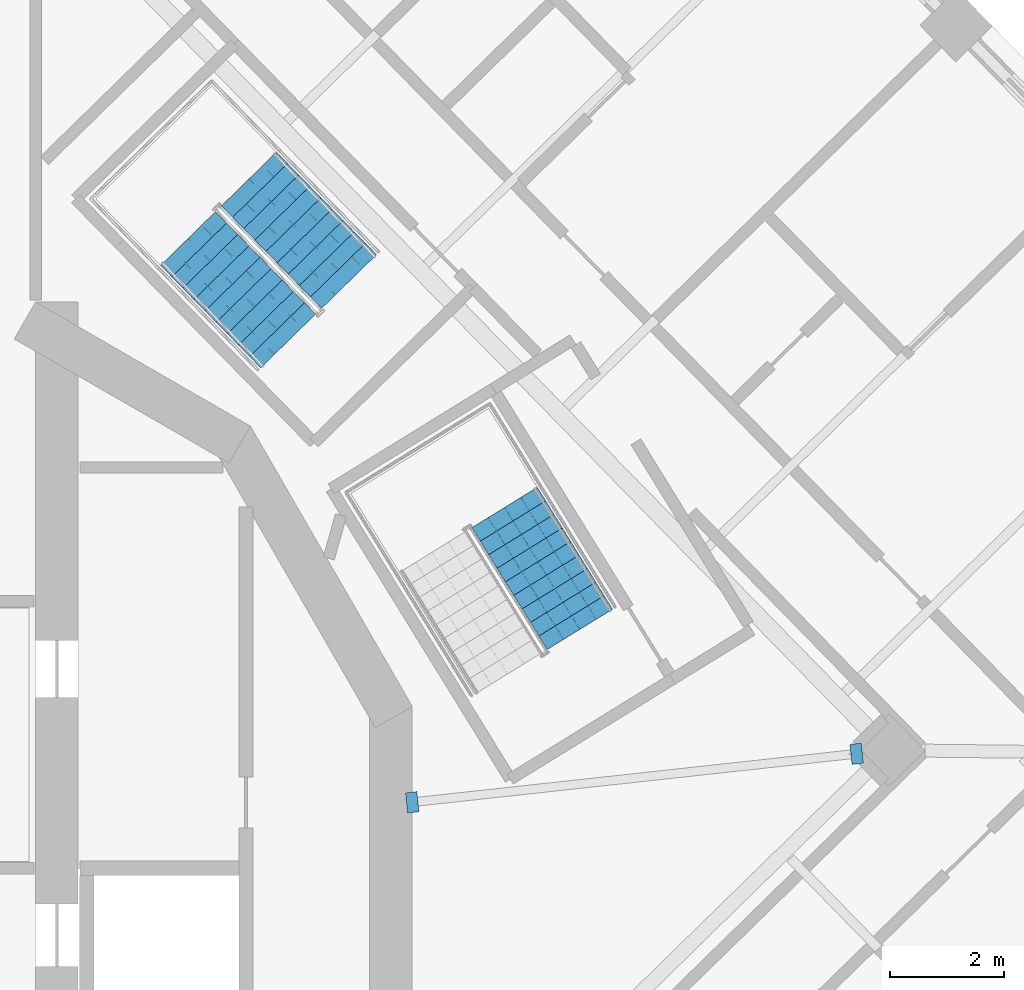
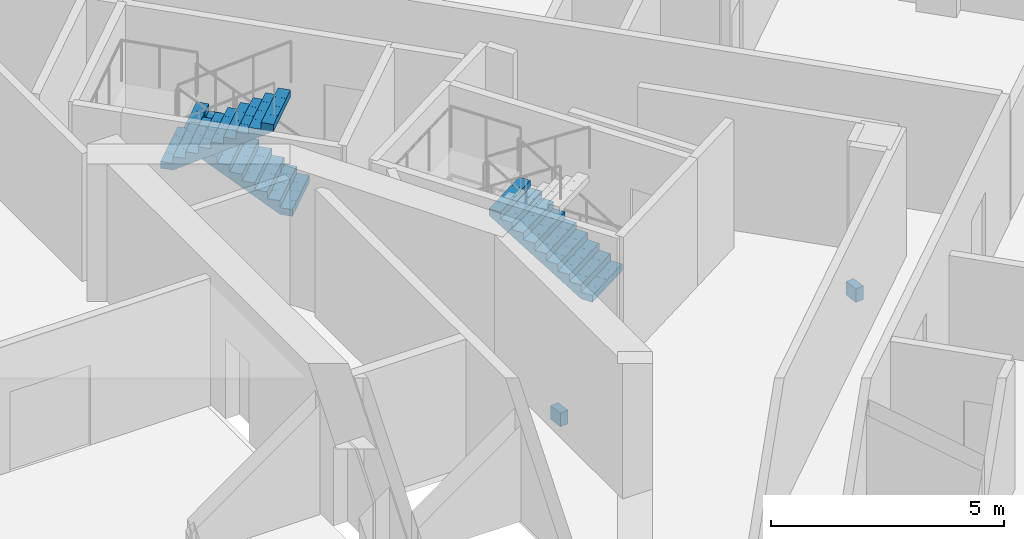
# One storey, part 12 of 19: 3 stair flights, 2 discrete accessories, 2 elements without a shape of their own.
"""IFC4 building model written with IfcOpenShell, lengths in metres."""

import ifcopenshell
import ifcopenshell.guid

model = None  # the IFC model being written
_history = None  # IfcOwnerHistory: only IFC2X3 demands one
_inside = {}  # id of a spatial element -> (the spatial element, [elements in it])
_under = {}  # id of a project, library or spatial element -> (it, [spatial elements below it])
_declared = {}  # id of a project -> (the project, [libraries it declares])
_typed = {}  # id of a type object -> (the type object, [elements of that type])
_made_of = {}  # id of a material, layer set ... -> (it, [elements and type objects made of it])


def new_model(schema):
    """Start an empty IFC model of exactly this schema.

    Asked for "IFC4X3", IfcOpenShell would pick the latest addendum, in which some entities
    have other attributes; the version numbers below select the first issue.
    IFC2X3 requires an IfcOwnerHistory on every rooted entity: one is made here for all.
    """
    global model, _history
    if schema == "IFC4X3":
        model = ifcopenshell.file(schema_version=(4, 3, 0, 0))
    else:
        model = ifcopenshell.file(schema=schema)
    _inside.clear()
    _under.clear()
    _declared.clear()
    _typed.clear()
    _made_of.clear()
    _history = None
    if model.schema == "IFC2X3":
        org = make("IfcOrganization", Name="unknown")
        user = make(
            "IfcPersonAndOrganization",
            ThePerson=make("IfcPerson", FamilyName="unknown"),
            TheOrganization=org,
        )
        app = make(
            "IfcApplication",
            ApplicationDeveloper=org,
            Version="unknown",
            ApplicationFullName="unknown",
            ApplicationIdentifier="unknown",
        )
        _history = make(
            "IfcOwnerHistory",
            OwningUser=user,
            OwningApplication=app,
            ChangeAction="ADDED",
            CreationDate=0,
        )
    return model


def make(cls, **values):
    """One entity of the class cls with the attributes given. An attribute that is None is left unset."""
    return model.create_entity(
        cls, **{name: value for name, value in values.items() if value is not None}
    )


def rooted(cls, **values):
    """An entity with a GlobalId (a new one), such as an element, a storey or a relation."""
    return make(cls, GlobalId=ifcopenshell.guid.new(), OwnerHistory=_history, **values)


def si_unit(unit_type, name, prefix=None):
    """IfcSIUnit, for example si_unit("LENGTHUNIT", "METRE", prefix="MILLI")."""
    return make("IfcSIUnit", UnitType=unit_type, Prefix=prefix, Name=name)


def assignment(units):
    """IfcUnitAssignment: the units of a project."""
    return None if units is None else make("IfcUnitAssignment", Units=units)


def point(xyz):
    """IfcCartesianPoint."""
    return None if xyz is None else make("IfcCartesianPoint", Coordinates=xyz)


def direction(xyz):
    """IfcDirection."""
    return None if xyz is None else make("IfcDirection", DirectionRatios=xyz)


def frame(location, z_axis=None, x_axis=None):
    """IfcAxis2Placement3D, a coordinate frame: its origin and axes. An axis left out is left unset."""
    return make(
        "IfcAxis2Placement3D",
        Location=point(location),
        Axis=direction(z_axis),
        RefDirection=direction(x_axis),
    )


def origin():
    """The frame at (0, 0, 0) with its axes left unset."""
    return frame((0.0, 0.0, 0.0))


def place(relative_to, where):
    """IfcLocalPlacement: puts the frame where relative to a parent placement (None: the world)."""
    return make(
        "IfcLocalPlacement", PlacementRelTo=relative_to, RelativePlacement=where
    )


def context(
    kind, dimensions, precision=None, world=None, true_north=None, identifier=None
):
    """IfcGeometricRepresentationContext, for example the 3D "Model" context."""
    return make(
        "IfcGeometricRepresentationContext",
        ContextIdentifier=identifier,
        ContextType=kind,
        CoordinateSpaceDimension=dimensions,
        Precision=precision,
        WorldCoordinateSystem=world,
        TrueNorth=true_north,
    )


def subcontext(parent, identifier, kind, view, scale=None):
    """IfcGeometricRepresentationSubContext, for example "Body" below "Model"."""
    return make(
        "IfcGeometricRepresentationSubContext",
        ContextIdentifier=identifier,
        ContextType=kind,
        ParentContext=parent,
        TargetScale=scale,
        TargetView=view,
    )


def project(units=None, contexts=None):
    """IfcProject with its units and contexts."""
    return rooted(
        "IfcProject",
        Name="project",
        RepresentationContexts=contexts,
        UnitsInContext=assignment(units),
    )


def spatial(cls, under=None, at=None, **own):
    """A site, building, storey or space (cls), placed at a placement, below another one or the project."""
    s = rooted(cls, ObjectPlacement=at, **own)
    if under is not None:
        _under.setdefault(under.id(), (under, []))[1].append(s)
    return s


def polyline(points):
    """IfcPolyline through the points."""
    return make("IfcPolyline", Points=[point(p) for p in points])


def outline(outer, holes=None, kind="AREA"):
    """IfcArbitraryClosedProfileDef: a profile drawn as a closed curve; with holes, ...WithVoids."""
    if holes is None:
        return make("IfcArbitraryClosedProfileDef", ProfileType=kind, OuterCurve=outer)
    return make(
        "IfcArbitraryProfileDefWithVoids",
        ProfileType=kind,
        OuterCurve=outer,
        InnerCurves=holes,
    )


def extrude(swept, where, along, depth):
    """IfcExtrudedAreaSolid: the profile swept, set in the frame where, extruded along a direction by depth."""
    return make(
        "IfcExtrudedAreaSolid",
        SweptArea=swept,
        Position=where,
        ExtrudedDirection=direction(along),
        Depth=depth,
    )


def shape(context_of_items, identifier, shape_type, items):
    """IfcShapeRepresentation: the items that make up one representation, for example the "Body"."""
    return make(
        "IfcShapeRepresentation",
        ContextOfItems=context_of_items,
        RepresentationIdentifier=identifier,
        RepresentationType=shape_type,
        Items=items,
    )


def material(Name=None, Category=None):
    """IfcMaterial."""
    return make("IfcMaterial", Name=Name, Category=Category)


def layer(
    of_material, thickness, ventilated=None, Name=None, Category=None, Priority=None
):
    """IfcMaterialLayer: one layer of a wall or slab, of a material (None: an air gap)."""
    return make(
        "IfcMaterialLayer",
        Material=of_material,
        LayerThickness=thickness,
        IsVentilated=ventilated,
        Name=Name,
        Category=Category,
        Priority=Priority,
    )


def layer_set(layers, Name=None):
    """IfcMaterialLayerSet."""
    return make("IfcMaterialLayerSet", MaterialLayers=layers, LayerSetName=Name)


def made_of(thing, what):
    """Note that an element or type object is made of a material, layer set ...; save() writes the relation."""
    if what is not None:
        _made_of.setdefault(what.id(), (what, []))[1].append(thing)
    return thing


def type_object(cls, material=None, **own):
    """A type object (cls), such as IfcWallType, which elements share."""
    return made_of(rooted(cls, **own), material)


def element(
    cls,
    number,
    at=None,
    inside=None,
    cuts=None,
    type_object=None,
    material=None,
    context=None,
    identifier="Body",
    shape_type=None,
    held_by="IfcProductDefinitionShape",
    body=None,
    shapes=None,
    **own,
):
    """One element of the class cls, such as IfcWall. Its Tag is "e" and its number.

    at: its placement. inside: the storey or other place that contains it. cuts: it is an
    opening in that element (IfcRelVoidsElement). A single representation is given by context,
    identifier, shape_type and body (its items); several are given by shapes. held_by: the class
    of the entity that holds the representations. save() writes the other relations.
    """
    e = rooted(cls, Tag="e%d" % number, ObjectPlacement=at, **own)
    if body is not None:
        shapes = [shape(context, identifier, shape_type, body)]
    if shapes is not None:
        e.Representation = make(held_by, Representations=shapes)
    if inside is not None:
        _inside.setdefault(inside.id(), (inside, []))[1].append(e)
    if cuts is not None:
        rooted(
            "IfcRelVoidsElement", RelatingBuildingElement=cuts, RelatedOpeningElement=e
        )
    if type_object is not None:
        _typed.setdefault(type_object.id(), (type_object, []))[1].append(e)
    return made_of(e, material)


def aggregate(whole, parts):
    """IfcRelAggregates: a whole, such as a stair, and the parts it consists of."""
    return rooted("IfcRelAggregates", RelatingObject=whole, RelatedObjects=parts)


def save(model, path):
    """Write the relations noted so far, then the file.

    IfcRelAggregates (storeys below a building ...), IfcRelContainedInSpatialStructure (elements
    in a storey), IfcRelDefinesByType, IfcRelAssociatesMaterial and IfcRelDeclares: one each for
    every whole, place, type object, material and project.
    """
    for whole, parts in _under.values():
        aggregate(whole, parts)
    for where, things in _inside.values():
        rooted(
            "IfcRelContainedInSpatialStructure",
            RelatedElements=things,
            RelatingStructure=where,
        )
    for kind, things in _typed.values():
        rooted("IfcRelDefinesByType", RelatedObjects=things, RelatingType=kind)
    for what, things in _made_of.values():
        rooted("IfcRelAssociatesMaterial", RelatedObjects=things, RelatingMaterial=what)
    for by, libraries in _declared.values():
        rooted("IfcRelDeclares", RelatingContext=by, RelatedDefinitions=libraries)
    model.write(path)


model = new_model("IFC4")

# Units and contexts
model_context = context("Model", 3, precision=1e-05, world=origin(), true_north=direction((0.0, 1.0)))
body_context = subcontext(model_context, "Body", "Model", "MODEL_VIEW")
ifc_project = project(units=[si_unit("LENGTHUNIT", "METRE"), si_unit("AREAUNIT", "SQUARE_METRE"), si_unit("VOLUMEUNIT", "CUBIC_METRE"), si_unit("PLANEANGLEUNIT", "RADIAN"), si_unit("MASSUNIT", "GRAM", prefix="KILO")], contexts=[model_context])

# Site, building, storey
site_placement = place(None, origin())
site = spatial("IfcSite", under=ifc_project, at=site_placement, CompositionType="ELEMENT")
building_placement = place(site_placement, origin())
building = spatial("IfcBuilding", under=site, at=building_placement, Name="Cantera Rosa Tower", CompositionType="ELEMENT")
storey_placement = place(building_placement, frame((0.0, 0.0, 216.199951171875)))
storey = spatial("IfcBuildingStorey", under=building, at=storey_placement, Name="L46", CompositionType="ELEMENT", Elevation=216.199951171875)

# Stair, stair flight
ifc_material_1 = material(Name="Concrete C35/45", Category="concrete")
stair_type = type_object("IfcStairType", Name="EXIT STAIR 1350 DOGLEG", PredefinedType="HALF_TURN_STAIR", material=ifc_material_1)
stair_1_placement = place(storey_placement, origin())
stair_1 = element("IfcStair", 1, at=stair_1_placement, inside=storey, type_object=stair_type, Name="L46 ST-41", PredefinedType="HALF_TURN_STAIR")
ifc_material_2 = material(Name="Concrete C35/45", Category="concrete")
stair_flight_type = type_object("IfcStairFlightType", Name="STAIR FLIGHT 1350 R20x180", PredefinedType="STRAIGHT", material=ifc_material_2)
stair_flight_1_placement = place(storey_placement, frame((13.5732421875, 4.2021484375, 0.0), z_axis=(0.0, 0.0, 1.0), x_axis=(-0.524976585286, 0.851116669383, 0.0)))
stair_flight_1 = element("IfcStairFlight", 2, at=stair_flight_1_placement, type_object=stair_flight_type, Name="ST-41 flight 1", NumberOfRisers=10, NumberOfTreads=9, PredefinedType="STRAIGHT", RiserHeight=0.18, TreadLength=0.28, context=body_context, shape_type="SweptSolid", body=[
    extrude(outline(polyline([(0.0, 0.0), (0.0, 0.179931640625), (0.280029296875, 0.179931640625), (0.280029296875, 0.360107421875), (0.56005859375, 0.360107421875), (0.56005859375, 0.5400390625), (0.840087890625, 0.5400390625), (0.840087890625, 0.719970703125), (1.1201171875, 0.719970703125), (1.1201171875, 0.89990234375), (1.39990234375, 0.89990234375), (1.39990234375, 1.080078125), (1.679931640625, 1.080078125), (1.679931640625, 1.260009765625), (1.9599609375, 1.260009765625), (1.9599609375, 1.43994140625), (2.239990234375, 1.43994140625), (2.239990234375, 1.6201171875), (2.52001953125, 1.6201171875), (2.52001953125, 1.800048828125), (2.52001953125, 1.44189453125), (0.277099609375, 0.0), (0.0, 0.0)])), frame((0.0, 0.675048828125, 0.0), z_axis=(0.0, -1.0, 0.0), x_axis=(1.0, 0.0, 0.0)), (0.0, 0.0, 1.0), 0.3359375),
    extrude(outline(polyline([(0.0, 0.0), (0.0, 0.179931640625), (0.280029296875, 0.179931640625), (0.280029296875, 0.360107421875), (0.56005859375, 0.360107421875), (0.56005859375, 0.5400390625), (0.840087890625, 0.5400390625), (0.840087890625, 0.719970703125), (1.1201171875, 0.719970703125), (1.1201171875, 0.89990234375), (1.39990234375, 0.89990234375), (1.39990234375, 1.080078125), (1.679931640625, 1.080078125), (1.679931640625, 1.260009765625), (1.9599609375, 1.260009765625), (1.9599609375, 1.43994140625), (2.239990234375, 1.43994140625), (2.239990234375, 1.6201171875), (2.52001953125, 1.6201171875), (2.52001953125, 1.800048828125), (2.52001953125, 1.44189453125), (0.277099609375, 0.0), (0.0, 0.0)])), frame((0.0, 0.337158203125, 0.0), z_axis=(0.0, -1.0, 0.0), x_axis=(1.0, 0.0, 0.0)), (0.0, 0.0, 1.0), 0.3359375),
    extrude(outline(polyline([(0.0, 0.0), (0.0, 0.179931640625), (0.280029296875, 0.179931640625), (0.280029296875, 0.360107421875), (0.56005859375, 0.360107421875), (0.56005859375, 0.5400390625), (0.840087890625, 0.5400390625), (0.840087890625, 0.719970703125), (1.1201171875, 0.719970703125), (1.1201171875, 0.89990234375), (1.39990234375, 0.89990234375), (1.39990234375, 1.080078125), (1.679931640625, 1.080078125), (1.679931640625, 1.260009765625), (1.9599609375, 1.260009765625), (1.9599609375, 1.43994140625), (2.239990234375, 1.43994140625), (2.239990234375, 1.6201171875), (2.52001953125, 1.6201171875), (2.52001953125, 1.800048828125), (2.52001953125, 1.44189453125), (0.277099609375, 0.0), (0.0, 0.0)])), frame((0.0, -0.000732421875, 0.0), z_axis=(0.0, -1.0, 0.0), x_axis=(1.0, 0.0, 0.0)), (0.0, 0.0, 1.0), 0.3359375),
    extrude(outline(polyline([(0.0, 0.0), (0.0, 0.179931640625), (0.280029296875, 0.179931640625), (0.280029296875, 0.360107421875), (0.56005859375, 0.360107421875), (0.56005859375, 0.5400390625), (0.840087890625, 0.5400390625), (0.840087890625, 0.719970703125), (1.1201171875, 0.719970703125), (1.1201171875, 0.89990234375), (1.39990234375, 0.89990234375), (1.39990234375, 1.080078125), (1.679931640625, 1.080078125), (1.679931640625, 1.260009765625), (1.9599609375, 1.260009765625), (1.9599609375, 1.43994140625), (2.239990234375, 1.43994140625), (2.239990234375, 1.6201171875), (2.52001953125, 1.6201171875), (2.52001953125, 1.800048828125), (2.52001953125, 1.44189453125), (0.277099609375, 0.0), (0.0, 0.0)])), frame((0.0, -0.338623046875, 0.0), z_axis=(0.0, -1.0, 0.0), x_axis=(1.0, 0.0, 0.0)), (0.0, 0.0, 1.0), 0.3359375),
])
aggregate(stair_1, [stair_flight_1])

# Stair, stair flights
stair_2_placement = place(storey_placement, origin())
stair_2 = element("IfcStair", 3, at=stair_2_placement, inside=storey, type_object=stair_type, Name="L46 ST-42", PredefinedType="HALF_TURN_STAIR")
stair_flight_2_placement = place(storey_placement, frame((9.514892578125, 10.32275390625, 0.0), z_axis=(0.0, 0.0, 1.0), x_axis=(-0.698831536207, 0.715286295132, 0.0)))
stair_flight_2 = element("IfcStairFlight", 4, at=stair_flight_2_placement, type_object=stair_flight_type, Name="ST-42 flight 1", NumberOfRisers=10, NumberOfTreads=9, PredefinedType="STRAIGHT", RiserHeight=0.18, TreadLength=0.28, context=body_context, shape_type="SweptSolid", body=[
    extrude(outline(polyline([(0.0, 0.0), (0.0, 0.179931640625), (0.280029296875, 0.179931640625), (0.280029296875, 0.360107421875), (0.56005859375, 0.360107421875), (0.56005859375, 0.5400390625), (0.840087890625, 0.5400390625), (0.840087890625, 0.719970703125), (1.1201171875, 0.719970703125), (1.1201171875, 0.89990234375), (1.39990234375, 0.89990234375), (1.39990234375, 1.080078125), (1.679931640625, 1.080078125), (1.679931640625, 1.260009765625), (1.9599609375, 1.260009765625), (1.9599609375, 1.43994140625), (2.239990234375, 1.43994140625), (2.239990234375, 1.6201171875), (2.52001953125, 1.6201171875), (2.52001953125, 1.800048828125), (2.52001953125, 1.44189453125), (0.277099609375, 0.0), (0.0, 0.0)])), frame((0.0, 0.675048828125, 0.0), z_axis=(0.0, -1.0, 0.0), x_axis=(1.0, 0.0, 0.0)), (0.0, 0.0, 1.0), 0.3359375),
    extrude(outline(polyline([(0.0, 0.0), (0.0, 0.179931640625), (0.280029296875, 0.179931640625), (0.280029296875, 0.360107421875), (0.56005859375, 0.360107421875), (0.56005859375, 0.5400390625), (0.840087890625, 0.5400390625), (0.840087890625, 0.719970703125), (1.1201171875, 0.719970703125), (1.1201171875, 0.89990234375), (1.39990234375, 0.89990234375), (1.39990234375, 1.080078125), (1.679931640625, 1.080078125), (1.679931640625, 1.260009765625), (1.9599609375, 1.260009765625), (1.9599609375, 1.43994140625), (2.239990234375, 1.43994140625), (2.239990234375, 1.6201171875), (2.52001953125, 1.6201171875), (2.52001953125, 1.800048828125), (2.52001953125, 1.44189453125), (0.277099609375, 0.0), (0.0, 0.0)])), frame((0.0, 0.337158203125, 0.0), z_axis=(0.0, -1.0, 0.0), x_axis=(1.0, 0.0, 0.0)), (0.0, 0.0, 1.0), 0.3359375),
    extrude(outline(polyline([(0.0, 0.0), (0.0, 0.179931640625), (0.280029296875, 0.179931640625), (0.280029296875, 0.360107421875), (0.56005859375, 0.360107421875), (0.56005859375, 0.5400390625), (0.840087890625, 0.5400390625), (0.840087890625, 0.719970703125), (1.1201171875, 0.719970703125), (1.1201171875, 0.89990234375), (1.39990234375, 0.89990234375), (1.39990234375, 1.080078125), (1.679931640625, 1.080078125), (1.679931640625, 1.260009765625), (1.9599609375, 1.260009765625), (1.9599609375, 1.43994140625), (2.239990234375, 1.43994140625), (2.239990234375, 1.6201171875), (2.52001953125, 1.6201171875), (2.52001953125, 1.800048828125), (2.52001953125, 1.44189453125), (0.277099609375, 0.0), (0.0, 0.0)])), frame((0.0, -0.000732421875, 0.0), z_axis=(0.0, -1.0, 0.0), x_axis=(1.0, 0.0, 0.0)), (0.0, 0.0, 1.0), 0.3359375),
    extrude(outline(polyline([(0.0, 0.0), (0.0, 0.179931640625), (0.280029296875, 0.179931640625), (0.280029296875, 0.360107421875), (0.56005859375, 0.360107421875), (0.56005859375, 0.5400390625), (0.840087890625, 0.5400390625), (0.840087890625, 0.719970703125), (1.1201171875, 0.719970703125), (1.1201171875, 0.89990234375), (1.39990234375, 0.89990234375), (1.39990234375, 1.080078125), (1.679931640625, 1.080078125), (1.679931640625, 1.260009765625), (1.9599609375, 1.260009765625), (1.9599609375, 1.43994140625), (2.239990234375, 1.43994140625), (2.239990234375, 1.6201171875), (2.52001953125, 1.6201171875), (2.52001953125, 1.800048828125), (2.52001953125, 1.44189453125), (0.277099609375, 0.0), (0.0, 0.0)])), frame((0.0, -0.338623046875, 0.0), z_axis=(0.0, -1.0, 0.0), x_axis=(1.0, 0.0, 0.0)), (0.0, 0.0, 1.0), 0.3359375),
])
stair_flight_3_placement = place(storey_placement, frame((6.680908203125, 11.076904296875, 1.800048828125), z_axis=(0.0, 0.0, 1.0), x_axis=(0.698831536207, -0.715286295132, 0.0)))
stair_flight_3 = element("IfcStairFlight", 5, at=stair_flight_3_placement, type_object=stair_flight_type, Name="ST-42 flight 2", NumberOfRisers=10, NumberOfTreads=9, PredefinedType="STRAIGHT", RiserHeight=0.18, TreadLength=0.28, context=body_context, shape_type="SweptSolid", body=[
    extrude(outline(polyline([(0.0, 0.0), (0.0, 0.179931640625), (0.280029296875, 0.179931640625), (0.280029296875, 0.360107421875), (0.56005859375, 0.360107421875), (0.56005859375, 0.5400390625), (0.840087890625, 0.5400390625), (0.840087890625, 0.719970703125), (1.1201171875, 0.719970703125), (1.1201171875, 0.89990234375), (1.39990234375, 0.89990234375), (1.39990234375, 1.080078125), (1.679931640625, 1.080078125), (1.679931640625, 1.260009765625), (1.9599609375, 1.260009765625), (1.9599609375, 1.43994140625), (2.239990234375, 1.43994140625), (2.239990234375, 1.6201171875), (2.52001953125, 1.6201171875), (2.52001953125, 1.800048828125), (2.52001953125, 1.44189453125), (0.277099609375, 0.0), (0.0, 0.0)])), frame((0.0, 0.675048828125, 0.0), z_axis=(0.0, -1.0, 0.0), x_axis=(1.0, 0.0, 0.0)), (0.0, 0.0, 1.0), 0.3359375),
    extrude(outline(polyline([(0.0, 0.0), (0.0, 0.179931640625), (0.280029296875, 0.179931640625), (0.280029296875, 0.360107421875), (0.56005859375, 0.360107421875), (0.56005859375, 0.5400390625), (0.840087890625, 0.5400390625), (0.840087890625, 0.719970703125), (1.1201171875, 0.719970703125), (1.1201171875, 0.89990234375), (1.39990234375, 0.89990234375), (1.39990234375, 1.080078125), (1.679931640625, 1.080078125), (1.679931640625, 1.260009765625), (1.9599609375, 1.260009765625), (1.9599609375, 1.43994140625), (2.239990234375, 1.43994140625), (2.239990234375, 1.6201171875), (2.52001953125, 1.6201171875), (2.52001953125, 1.800048828125), (2.52001953125, 1.44189453125), (0.277099609375, 0.0), (0.0, 0.0)])), frame((0.0, 0.337158203125, 0.0), z_axis=(0.0, -1.0, 0.0), x_axis=(1.0, 0.0, 0.0)), (0.0, 0.0, 1.0), 0.3359375),
    extrude(outline(polyline([(0.0, 0.0), (0.0, 0.179931640625), (0.280029296875, 0.179931640625), (0.280029296875, 0.360107421875), (0.56005859375, 0.360107421875), (0.56005859375, 0.5400390625), (0.840087890625, 0.5400390625), (0.840087890625, 0.719970703125), (1.1201171875, 0.719970703125), (1.1201171875, 0.89990234375), (1.39990234375, 0.89990234375), (1.39990234375, 1.080078125), (1.679931640625, 1.080078125), (1.679931640625, 1.260009765625), (1.9599609375, 1.260009765625), (1.9599609375, 1.43994140625), (2.239990234375, 1.43994140625), (2.239990234375, 1.6201171875), (2.52001953125, 1.6201171875), (2.52001953125, 1.800048828125), (2.52001953125, 1.44189453125), (0.277099609375, 0.0), (0.0, 0.0)])), frame((0.0, -0.000732421875, 0.0), z_axis=(0.0, -1.0, 0.0), x_axis=(1.0, 0.0, 0.0)), (0.0, 0.0, 1.0), 0.3359375),
    extrude(outline(polyline([(0.0, 0.0), (0.0, 0.179931640625), (0.280029296875, 0.179931640625), (0.280029296875, 0.360107421875), (0.56005859375, 0.360107421875), (0.56005859375, 0.5400390625), (0.840087890625, 0.5400390625), (0.840087890625, 0.719970703125), (1.1201171875, 0.719970703125), (1.1201171875, 0.89990234375), (1.39990234375, 0.89990234375), (1.39990234375, 1.080078125), (1.679931640625, 1.080078125), (1.679931640625, 1.260009765625), (1.9599609375, 1.260009765625), (1.9599609375, 1.43994140625), (2.239990234375, 1.43994140625), (2.239990234375, 1.6201171875), (2.52001953125, 1.6201171875), (2.52001953125, 1.800048828125), (2.52001953125, 1.44189453125), (0.277099609375, 0.0), (0.0, 0.0)])), frame((0.0, -0.338623046875, 0.0), z_axis=(0.0, -1.0, 0.0), x_axis=(1.0, 0.0, 0.0)), (0.0, 0.0, 1.0), 0.3359375),
])
aggregate(stair_2, [stair_flight_2, stair_flight_3])

# Discrete accessories
ifc_material_3 = material(Name="Steel ASTM A992 (Fy 345 MPa)", Category="steel")
ifc_layer = layer(ifc_material_3, 0.0400390625)
ifc_layer_set = layer_set([ifc_layer], Name="STEEL BEARING PLATE 40")
discrete_accessory_type = type_object("IfcDiscreteAccessoryType", Name="STEEL BEARING PLATE 40", PredefinedType="ANCHORPLATE", material=ifc_layer_set)
discrete_accessory_1_placement = place(storey_placement, frame((0.0, 0.0, -0.659912109375)))
element("IfcDiscreteAccessory", 6, at=discrete_accessory_1_placement, inside=storey, type_object=discrete_accessory_type, Name="BEARING PLATE PG-Z4-01 end 1 L46", PredefinedType="ANCHORPLATE", context=body_context, shape_type="SweptSolid", body=[
    extrude(outline(polyline([(18.362548828125, 1.828125), (18.5615234375, 1.849853515625), (18.52294921875, 2.20166015625), (18.32421875, 2.179931640625), (18.362548828125, 1.828125)])), origin(), (0.0, 0.0, 1.0), 0.35986328125),
])
discrete_accessory_2_placement = place(storey_placement, frame((0.0, 0.0, -0.659912109375)))
element("IfcDiscreteAccessory", 7, at=discrete_accessory_2_placement, inside=storey, type_object=discrete_accessory_type, Name="BEARING PLATE PG-Z4-01 end 2 L46", PredefinedType="ANCHORPLATE", context=body_context, shape_type="SweptSolid", body=[
    extrude(outline(polyline([(10.705322265625, 1.34765625), (10.506591796875, 1.325927734375), (10.544921875, 0.97412109375), (10.743896484375, 0.99560546875), (10.705322265625, 1.34765625)])), origin(), (0.0, 0.0, 1.0), 0.35986328125),
])

save(model, "model.ifc")
